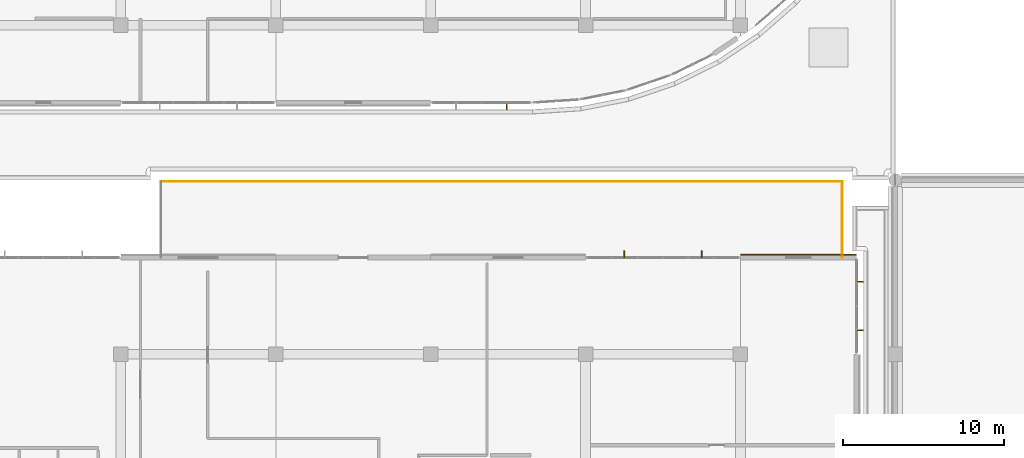
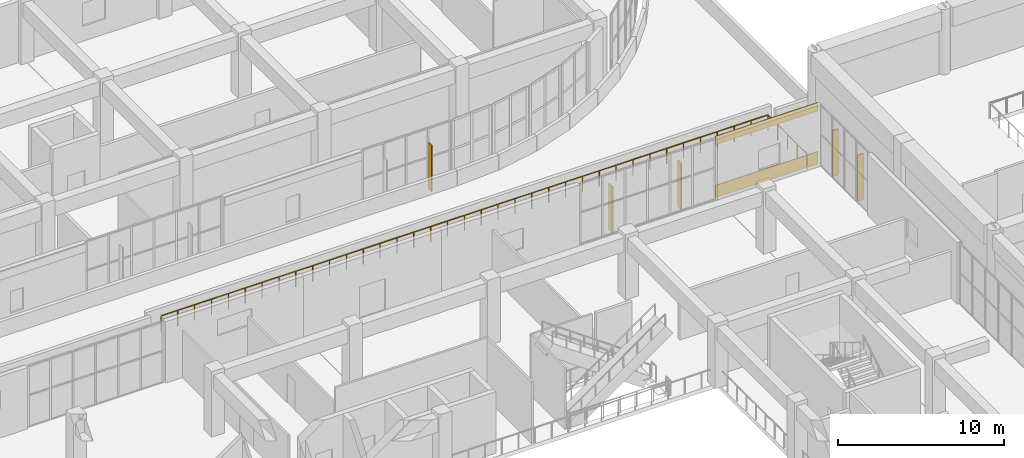
# One storey, part 81 of 96: 5 shading devices, 2 coverings, 2 railings.
"""IFC4 building model written with IfcOpenShell, lengths in metres."""

from ifc_helpers import new_model, si_unit, direction, frame, origin, origin_2d, place, context, subcontext, project, spatial, rectangle, circle, extrude, material, layer, layer_set, type_object, element, save


model = new_model("IFC4")

# Units and contexts
model_context = context("Model", 3, precision=1e-05, world=origin(), true_north=direction((0.0, 1.0)))
body_context = subcontext(model_context, "Body", "Model", "MODEL_VIEW")
ifc_project = project(units=[si_unit("LENGTHUNIT", "METRE"), si_unit("AREAUNIT", "SQUARE_METRE"), si_unit("VOLUMEUNIT", "CUBIC_METRE"), si_unit("PLANEANGLEUNIT", "RADIAN"), si_unit("MASSUNIT", "GRAM", prefix="KILO")], contexts=[model_context])

# Site, building, storey
site_placement = place(None, origin())
site = spatial("IfcSite", under=ifc_project, at=site_placement, CompositionType="ELEMENT")
building_placement = place(site_placement, origin())
building = spatial("IfcBuilding", under=site, at=building_placement, Name="Cendralis Terraced Arcade", CompositionType="ELEMENT")
storey_placement = place(building_placement, frame((0.0, 0.0, 10.199951171875)))
storey = spatial("IfcBuildingStorey", under=building, at=storey_placement, Name="L02", CompositionType="ELEMENT", Elevation=10.199951171875)

# Coverings
ifc_material_1 = material(Name="Precast concrete f'c 40 MPa", Category="concrete")
ifc_layer = layer(ifc_material_1, 0.06494140625, Name="COV-CLAD-GRC-65")
ifc_layer_set = layer_set([ifc_layer], Name="Precast concrete f'c 40 MPa")
covering_type = type_object("IfcCoveringType", Name="COV-CLAD-GRC-65", PredefinedType="CLADDING", material=ifc_layer_set)
covering_1_placement = place(storey_placement, frame((61.199951171875, 55.3798828125, 0.0), z_axis=(0.0, 0.0, 1.0), x_axis=(1.0, 0.0, 0.0)))
element("IfcCovering", 1, at=covering_1_placement, inside=storey, type_object=covering_type, Name="Banded Precast Stone Spandrel Cladding L02-325", PredefinedType="CLADDING", context=body_context, shape_type="SweptSolid", body=[
    extrude(rectangle(XDim=7.139892578125, YDim=0.06494140625, at=origin_2d()), origin(), (0.0, 0.0, 1.0), 0.89990234375),
])
covering_2_placement = place(storey_placement, frame((61.199951171875, 55.3798828125, 3.89501953125), z_axis=(0.0, 0.0, 1.0), x_axis=(1.0, 0.0, 0.0)))
element("IfcCovering", 2, at=covering_2_placement, inside=storey, type_object=covering_type, Name="Banded Precast Stone Lintel Cladding L02-326", PredefinedType="CLADDING", context=body_context, shape_type="SweptSolid", body=[
    extrude(rectangle(XDim=7.139892578125, YDim=0.06494140625, at=origin_2d()), origin(), (0.0, 0.0, 1.0), 0.60009765625),
])

# Railings
ifc_material_2 = material(Name="Brushed stainless steel AISI 316", Category="steel")
railing_type = type_object("IfcRailingType", Name="RL-TER-GUARD-1150", PredefinedType="GUARDRAIL", material=ifc_material_2)
railing_1_placement = place(storey_placement, frame((21.679931640625, 59.919921875, 0.0)))
element("IfcRailing", 3, at=railing_1_placement, inside=storey, type_object=railing_type, Name="Planted Terrace Perimeter Guardrail GR-TER-L02-004", PredefinedType="GUARDRAIL", context=body_context, shape_type="SweptSolid", body=[
    extrude(circle(Radius=0.02392578125, at=origin_2d()), frame((0.0, 0.0, 1.1259765625), z_axis=(1.0, 0.0, 0.0), x_axis=(0.0, 1.0, 0.0)), (0.0, 0.0, 1.0), 42.239990234375),
    extrude(circle(Radius=0.02099609375, at=origin_2d()), origin(), (0.0, 0.0, 1.0), 1.101806640625),
    extrude(circle(Radius=0.02099609375, at=origin_2d()), frame((1.17333984375, 0.0, 0.0)), (0.0, 0.0, 1.0), 1.101806640625),
    extrude(circle(Radius=0.02099609375, at=origin_2d()), frame((2.3466796875, 0.0, 0.0)), (0.0, 0.0, 1.0), 1.101806640625),
    extrude(circle(Radius=0.02099609375, at=origin_2d()), frame((3.52001953125, 0.0, 0.0)), (0.0, 0.0, 1.0), 1.101806640625),
    extrude(circle(Radius=0.02099609375, at=origin_2d()), frame((4.693359375, 0.0, 0.0)), (0.0, 0.0, 1.0), 1.101806640625),
    extrude(circle(Radius=0.02099609375, at=origin_2d()), frame((5.86669921875, 0.0, 0.0)), (0.0, 0.0, 1.0), 1.101806640625),
    extrude(circle(Radius=0.02099609375, at=origin_2d()), frame((7.0400390625, 0.0, 0.0)), (0.0, 0.0, 1.0), 1.101806640625),
    extrude(circle(Radius=0.02099609375, at=origin_2d()), frame((8.21337890625, 0.0, 0.0)), (0.0, 0.0, 1.0), 1.101806640625),
    extrude(circle(Radius=0.02099609375, at=origin_2d()), frame((9.38671875, 0.0, 0.0)), (0.0, 0.0, 1.0), 1.101806640625),
    extrude(circle(Radius=0.02099609375, at=origin_2d()), frame((10.56005859375, 0.0, 0.0)), (0.0, 0.0, 1.0), 1.101806640625),
    extrude(circle(Radius=0.02099609375, at=origin_2d()), frame((11.7333984375, 0.0, 0.0)), (0.0, 0.0, 1.0), 1.101806640625),
    extrude(circle(Radius=0.02099609375, at=origin_2d()), frame((12.90673828125, 0.0, 0.0)), (0.0, 0.0, 1.0), 1.101806640625),
    extrude(circle(Radius=0.02099609375, at=origin_2d()), frame((14.080078125, 0.0, 0.0)), (0.0, 0.0, 1.0), 1.101806640625),
    extrude(circle(Radius=0.02099609375, at=origin_2d()), frame((15.25341796875, 0.0, 0.0)), (0.0, 0.0, 1.0), 1.101806640625),
    extrude(circle(Radius=0.02099609375, at=origin_2d()), frame((16.4267578125, 0.0, 0.0)), (0.0, 0.0, 1.0), 1.101806640625),
    extrude(circle(Radius=0.02099609375, at=origin_2d()), frame((17.60009765625, 0.0, 0.0)), (0.0, 0.0, 1.0), 1.101806640625),
    extrude(circle(Radius=0.02099609375, at=origin_2d()), frame((18.7734375, 0.0, 0.0)), (0.0, 0.0, 1.0), 1.101806640625),
    extrude(circle(Radius=0.02099609375, at=origin_2d()), frame((19.94677734375, 0.0, 0.0)), (0.0, 0.0, 1.0), 1.101806640625),
    extrude(circle(Radius=0.02099609375, at=origin_2d()), frame((21.1201171875, 0.0, 0.0)), (0.0, 0.0, 1.0), 1.101806640625),
    extrude(circle(Radius=0.02099609375, at=origin_2d()), frame((22.293212890625, 0.0, 0.0)), (0.0, 0.0, 1.0), 1.101806640625),
    extrude(circle(Radius=0.02099609375, at=origin_2d()), frame((23.466552734375, 0.0, 0.0)), (0.0, 0.0, 1.0), 1.101806640625),
    extrude(circle(Radius=0.02099609375, at=origin_2d()), frame((24.639892578125, 0.0, 0.0)), (0.0, 0.0, 1.0), 1.101806640625),
    extrude(circle(Radius=0.02099609375, at=origin_2d()), frame((25.813232421875, 0.0, 0.0)), (0.0, 0.0, 1.0), 1.101806640625),
    extrude(circle(Radius=0.02099609375, at=origin_2d()), frame((26.986572265625, 0.0, 0.0)), (0.0, 0.0, 1.0), 1.101806640625),
    extrude(circle(Radius=0.02099609375, at=origin_2d()), frame((28.159912109375, 0.0, 0.0)), (0.0, 0.0, 1.0), 1.101806640625),
    extrude(circle(Radius=0.02099609375, at=origin_2d()), frame((29.333251953125, 0.0, 0.0)), (0.0, 0.0, 1.0), 1.101806640625),
    extrude(circle(Radius=0.02099609375, at=origin_2d()), frame((30.506591796875, 0.0, 0.0)), (0.0, 0.0, 1.0), 1.101806640625),
    extrude(circle(Radius=0.02099609375, at=origin_2d()), frame((31.679931640625, 0.0, 0.0)), (0.0, 0.0, 1.0), 1.101806640625),
    extrude(circle(Radius=0.02099609375, at=origin_2d()), frame((32.853271484375, 0.0, 0.0)), (0.0, 0.0, 1.0), 1.101806640625),
    extrude(circle(Radius=0.02099609375, at=origin_2d()), frame((34.026611328125, 0.0, 0.0)), (0.0, 0.0, 1.0), 1.101806640625),
    extrude(circle(Radius=0.02099609375, at=origin_2d()), frame((35.199951171875, 0.0, 0.0)), (0.0, 0.0, 1.0), 1.101806640625),
    extrude(circle(Radius=0.02099609375, at=origin_2d()), frame((36.373291015625, 0.0, 0.0)), (0.0, 0.0, 1.0), 1.101806640625),
    extrude(circle(Radius=0.02099609375, at=origin_2d()), frame((37.546630859375, 0.0, 0.0)), (0.0, 0.0, 1.0), 1.101806640625),
    extrude(circle(Radius=0.02099609375, at=origin_2d()), frame((38.719970703125, 0.0, 0.0)), (0.0, 0.0, 1.0), 1.101806640625),
    extrude(circle(Radius=0.02099609375, at=origin_2d()), frame((39.893310546875, 0.0, 0.0)), (0.0, 0.0, 1.0), 1.101806640625),
    extrude(circle(Radius=0.02099609375, at=origin_2d()), frame((41.066650390625, 0.0, 0.0)), (0.0, 0.0, 1.0), 1.101806640625),
    extrude(circle(Radius=0.02099609375, at=origin_2d()), frame((42.239990234375, 0.0, 0.0)), (0.0, 0.0, 1.0), 1.101806640625),
])
railing_2_placement = place(storey_placement, frame((63.919921875, 59.919921875, 0.0)))
element("IfcRailing", 4, at=railing_2_placement, inside=storey, type_object=railing_type, Name="Planted Terrace Perimeter Guardrail GR-TER-L02-005", PredefinedType="GUARDRAIL", context=body_context, shape_type="SweptSolid", body=[
    extrude(circle(Radius=0.02392578125, at=origin_2d()), frame((0.0, 0.0, 1.1259765625), z_axis=(0.0, -1.0, 0.0), x_axis=(1.0, 0.0, 0.0)), (0.0, 0.0, 1.0), 4.719970703125),
    extrude(circle(Radius=0.02099609375, at=origin_2d()), origin(), (0.0, 0.0, 1.0), 1.101806640625),
    extrude(circle(Radius=0.02099609375, at=origin_2d()), frame((0.0, -1.179931640625, 0.0)), (0.0, 0.0, 1.0), 1.101806640625),
    extrude(circle(Radius=0.02099609375, at=origin_2d()), frame((0.0, -2.35986328125, 0.0)), (0.0, 0.0, 1.0), 1.101806640625),
    extrude(circle(Radius=0.02099609375, at=origin_2d()), frame((0.0, -3.5400390625, 0.0)), (0.0, 0.0, 1.0), 1.101806640625),
    extrude(circle(Radius=0.02099609375, at=origin_2d()), frame((0.0, -4.719970703125, 0.0)), (0.0, 0.0, 1.0), 1.101806640625),
])

# Shading devices
ifc_material_3 = material(Name="Anodised aluminium EN AW-6063 T6", Category="aluminium")
shading_device_type = type_object("IfcShadingDeviceType", Name="SHD-FIN-420", PredefinedType="USERDEFINED", material=ifc_material_3)
for number, where, z_axis, x_axis, name in (
    (5, (43.125, 64.5849609375, 0.050048828125), (0.0, 0.0, 1.0), (-1.0, 0.0, 0.0), "Parametric Vertical Solar Fin FIN-L02-045"),
    (6, (50.39990234375, 55.4150390625, 0.050048828125), (0.0, 0.0, 1.0), (1.0, 0.0, 0.0), "Parametric Vertical Solar Fin FIN-L02-089"),
    (7, (55.199951171875, 55.4150390625, 0.050048828125), (0.0, 0.0, 1.0), (1.0, 0.0, 0.0), "Parametric Vertical Solar Fin FIN-L02-090"),
    (8, (65.014892578125, 53.699951171875, 0.050048828125), (0.0, 0.0, 1.0), (0.0, -1.0, 0.0), "Parametric Vertical Solar Fin FIN-L02-091"),
    (9, (65.014892578125, 50.699951171875, 0.050048828125), (0.0, 0.0, 1.0), (0.0, -1.0, 0.0), "Parametric Vertical Solar Fin FIN-L02-092"),
):
    element("IfcShadingDevice", number, at=place(storey_placement, frame(where, z_axis=z_axis, x_axis=x_axis)), inside=storey, type_object=shading_device_type, Name=name, ObjectType="FIN", PredefinedType="USERDEFINED", context=body_context, shape_type="SweptSolid", body=[
        extrude(rectangle(XDim=0.074951171875, YDim=0.419921875, at=origin_2d()), origin(), (0.0, 0.0, 1.0), 3.39990234375),
    ])

save(model, "model.ifc")
